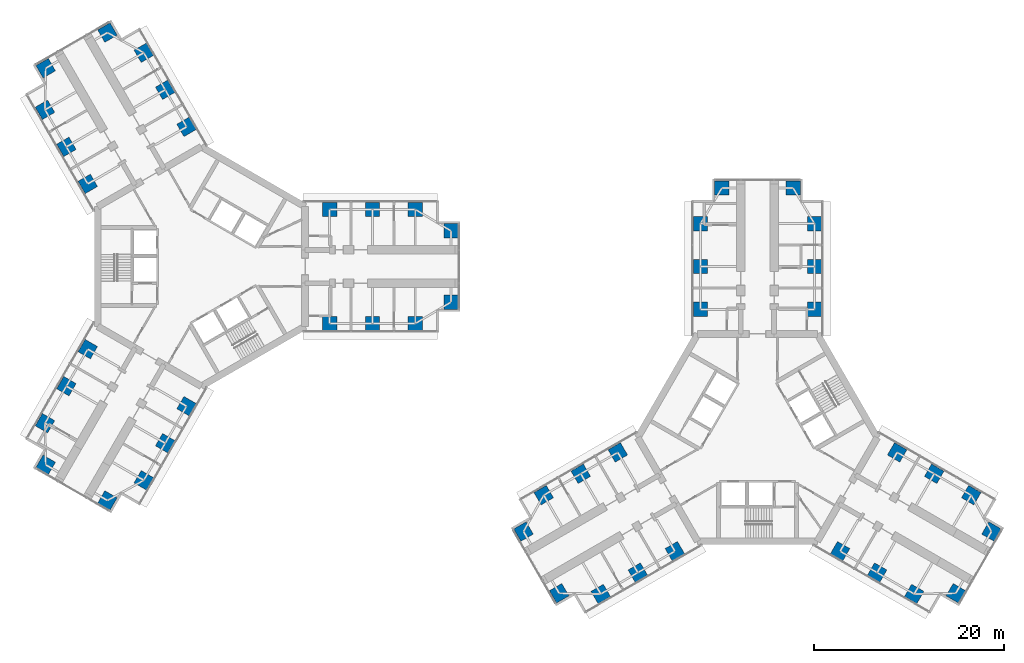
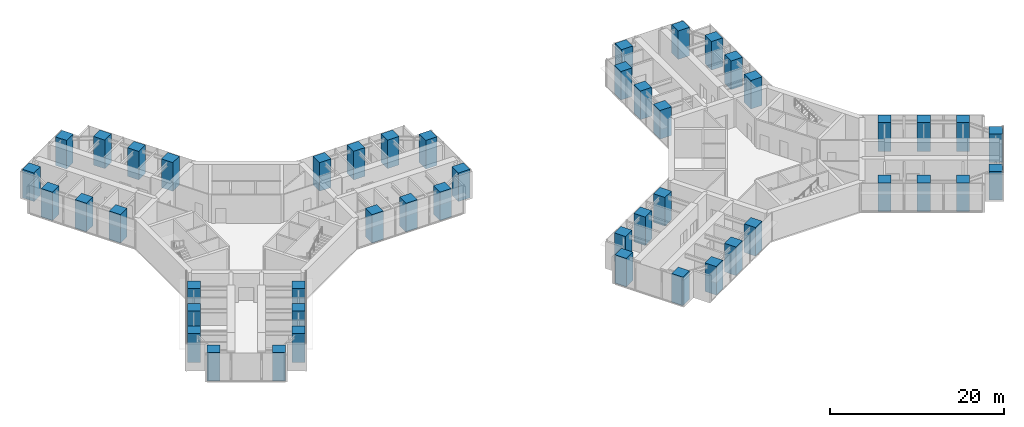
# One storey, part 1 of 22: 48 columns.
"""IFC4 building model written with IfcOpenShell, lengths in metres."""

from ifc_helpers import new_model, si_unit, direction, frame, origin, origin_2d, place, context, subcontext, project, spatial, rectangle, extrude, material, material_profile, profile_set, type_object, element, save


model = new_model("IFC4")

# Units and contexts
model_context = context("Model", 3, precision=1e-05, world=origin(), true_north=direction((0.0, 1.0)))
body_context = subcontext(model_context, "Body", "Model", "MODEL_VIEW")
ifc_project = project(units=[si_unit("LENGTHUNIT", "METRE"), si_unit("AREAUNIT", "SQUARE_METRE"), si_unit("VOLUMEUNIT", "CUBIC_METRE"), si_unit("PLANEANGLEUNIT", "RADIAN"), si_unit("MASSUNIT", "GRAM", prefix="KILO")], contexts=[model_context])

# Site, building, storey
site_placement = place(None, origin())
site = spatial("IfcSite", under=ifc_project, at=site_placement, CompositionType="ELEMENT")
building_placement = place(site_placement, origin())
building = spatial("IfcBuilding", under=site, at=building_placement, Name="Upepo Twin Towers", CompositionType="ELEMENT")
storey_placement = place(building_placement, frame((0.0, 0.0, 44.5)))
storey = spatial("IfcBuildingStorey", under=building, at=storey_placement, Name="L10", CompositionType="ELEMENT", Elevation=44.5)

# Columns
ifc_material = material(Name="Concrete C60/75", Category="concrete")
ifc_material_profile = material_profile(ifc_material, rectangle(XDim=1.5, YDim=1.5, at=origin_2d()), Name="RC 1500x1500")
ifc_profile_set = profile_set([ifc_material_profile], Name="Concrete C60/75")
column_type = type_object("IfcColumnType", Name="Tower column RC 1500x1500", PredefinedType="COLUMN", material=ifc_profile_set)
for number, where, z_axis, x_axis, name in (
    (1, (13.5, 6.0, 0.0), (0.0, 0.0, 1.0), (1.0, 0.0, 0.0), "T1 column AL135"),
    (2, (13.5, -6.0, 0.0), (0.0, 0.0, 1.0), (1.0, 0.0, 0.0), "T1 column AR135"),
    (3, (18.0, 6.0, 0.0), (0.0, 0.0, 1.0), (1.0, 0.0, 0.0), "T1 column AL180"),
    (4, (18.0, -6.0, 0.0), (0.0, 0.0, 1.0), (1.0, 0.0, 0.0), "T1 column AR180"),
    (5, (22.5, 6.0, 0.0), (0.0, 0.0, 1.0), (1.0, 0.0, 0.0), "T1 column AL225"),
    (6, (22.5, -6.0, 0.0), (0.0, 0.0, 1.0), (1.0, 0.0, 0.0), "T1 column AR225"),
    (7, (26.25, 3.75, 0.0), (0.0, 0.0, 1.0), (1.0, 0.0, 0.0), "T1 column ALN"),
    (8, (26.25, -3.75, 0.0), (0.0, 0.0, 1.0), (1.0, 0.0, 0.0), "T1 column ARN"),
    (9, (-11.946044921875, 8.69140625, 0.0), (0.0, 0.0, 1.0), (0.866025403784, 0.5, 0.0), "T1 column BL135"),
    (10, (-1.553955078125, 14.69140625, 0.0), (0.0, 0.0, 1.0), (0.866025403784, 0.5, 0.0), "T1 column BR135"),
    (11, (-14.196044921875, 12.58837890625, 0.0), (0.0, 0.0, 1.0), (0.866025403784, 0.5, 0.0), "T1 column BL180"),
    (12, (-3.803955078125, 18.58837890625, 0.0), (0.0, 0.0, 1.0), (0.866025403784, 0.5, 0.0), "T1 column BR180"),
    (13, (-16.446044921875, 16.485595703125, 0.0), (0.0, 0.0, 1.0), (0.866025403784, 0.5, 0.0), "T1 column BL225"),
    (14, (-6.053955078125, 22.485595703125, 0.0), (0.0, 0.0, 1.0), (0.866025403784, 0.5, 0.0), "T1 column BR225"),
    (15, (-16.37255859375, 20.858154296875, 0.0), (0.0, 0.0, 1.0), (0.866025403784, 0.5, 0.0), "T1 column BLN"),
    (16, (-9.87744140625, 24.608154296875, 0.0), (0.0, 0.0, 1.0), (0.866025403784, 0.5, 0.0), "T1 column BRN"),
    (17, (-1.553955078125, -14.69140625, 0.0), (0.0, 0.0, 1.0), (0.5, 0.866025403784, 0.0), "T1 column CL135"),
    (18, (-11.946044921875, -8.69140625, 0.0), (0.0, 0.0, 1.0), (0.5, 0.866025403784, 0.0), "T1 column CR135"),
    (19, (-3.803955078125, -18.58837890625, 0.0), (0.0, 0.0, 1.0), (0.5, 0.866025403784, 0.0), "T1 column CL180"),
    (20, (-14.196044921875, -12.58837890625, 0.0), (0.0, 0.0, 1.0), (0.5, 0.866025403784, 0.0), "T1 column CR180"),
    (21, (-6.053955078125, -22.485595703125, 0.0), (0.0, 0.0, 1.0), (0.5, 0.866025403784, 0.0), "T1 column CL225"),
    (22, (-16.446044921875, -16.485595703125, 0.0), (0.0, 0.0, 1.0), (0.5, 0.866025403784, 0.0), "T1 column CR225"),
    (23, (-9.87744140625, -24.608154296875, 0.0), (0.0, 0.0, 1.0), (0.5, 0.866025403784, 0.0), "T1 column CLN"),
    (24, (-16.37255859375, -20.858154296875, 0.0), (0.0, 0.0, 1.0), (0.5, 0.866025403784, 0.0), "T1 column CRN"),
    (25, (52.5, -4.5, 0.0), (0.0, 0.0, 1.0), (1.0, 0.0, 0.0), "T2 column AL135"),
    (26, (64.5, -4.5, 0.0), (0.0, 0.0, 1.0), (1.0, 0.0, 0.0), "T2 column AR135"),
    (27, (52.5, 0.0, 0.0), (0.0, 0.0, 1.0), (1.0, 0.0, 0.0), "T2 column AL180"),
    (28, (64.5, 0.0, 0.0), (0.0, 0.0, 1.0), (1.0, 0.0, 0.0), "T2 column AR180"),
    (29, (52.5, 4.5, 0.0), (0.0, 0.0, 1.0), (1.0, 0.0, 0.0), "T2 column AL225"),
    (30, (64.5, 4.5, 0.0), (0.0, 0.0, 1.0), (1.0, 0.0, 0.0), "T2 column AR225"),
    (31, (54.75, 8.25, 0.0), (0.0, 0.0, 1.0), (1.0, 0.0, 0.0), "T2 column ALN"),
    (32, (62.25, 8.25, 0.0), (0.0, 0.0, 1.0), (1.0, 0.0, 0.0), "T2 column ARN"),
    (33, (49.80859375, -29.946044921875, 0.0), (0.0, 0.0, 1.0), (0.866025403784, 0.5, 0.0), "T2 column BL135"),
    (34, (43.80859375, -19.553955078125, 0.0), (0.0, 0.0, 1.0), (0.866025403784, 0.5, 0.0), "T2 column BR135"),
    (35, (45.91162109375, -32.196044921875, 0.0), (0.0, 0.0, 1.0), (0.866025403784, 0.5, 0.0), "T2 column BL180"),
    (36, (39.91162109375, -21.803955078125, 0.0), (0.0, 0.0, 1.0), (0.866025403784, 0.5, 0.0), "T2 column BR180"),
    (37, (42.014404296875, -34.446044921875, 0.0), (0.0, 0.0, 1.0), (0.866025403784, 0.5, 0.0), "T2 column BL225"),
    (38, (36.014404296875, -24.053955078125, 0.0), (0.0, 0.0, 1.0), (0.866025403784, 0.5, 0.0), "T2 column BR225"),
    (39, (37.641845703125, -34.37255859375, 0.0), (0.0, 0.0, 1.0), (0.866025403784, 0.5, 0.0), "T2 column BLN"),
    (40, (33.891845703125, -27.87744140625, 0.0), (0.0, 0.0, 1.0), (0.866025403784, 0.5, 0.0), "T2 column BRN"),
    (41, (73.19140625, -19.553955078125, 0.0), (0.0, 0.0, 1.0), (0.5, 0.866025403784, 0.0), "T2 column CL135"),
    (42, (67.19140625, -29.946044921875, 0.0), (0.0, 0.0, 1.0), (0.5, 0.866025403784, 0.0), "T2 column CR135"),
    (43, (77.08837890625, -21.803955078125, 0.0), (0.0, 0.0, 1.0), (0.5, 0.866025403784, 0.0), "T2 column CL180"),
    (44, (71.08837890625, -32.196044921875, 0.0), (0.0, 0.0, 1.0), (0.5, 0.866025403784, 0.0), "T2 column CR180"),
    (45, (80.985595703125, -24.053955078125, 0.0), (0.0, 0.0, 1.0), (0.5, 0.866025403784, 0.0), "T2 column CL225"),
    (46, (74.985595703125, -34.446044921875, 0.0), (0.0, 0.0, 1.0), (0.5, 0.866025403784, 0.0), "T2 column CR225"),
    (47, (83.108154296875, -27.87744140625, 0.0), (0.0, 0.0, 1.0), (0.5, 0.866025403784, 0.0), "T2 column CLN"),
    (48, (79.358154296875, -34.37255859375, 0.0), (0.0, 0.0, 1.0), (0.5, 0.866025403784, 0.0), "T2 column CRN"),
):
    element("IfcColumn", number, at=place(storey_placement, frame(where, z_axis=z_axis, x_axis=x_axis)), inside=storey, type_object=column_type, Name=name, PredefinedType="COLUMN", context=body_context, shape_type="SweptSolid", body=[
        extrude(rectangle(XDim=1.5, YDim=1.5, at=origin_2d()), origin(), (0.0, 0.0, 1.0), 4.0),
    ])

save(model, "model.ifc")
